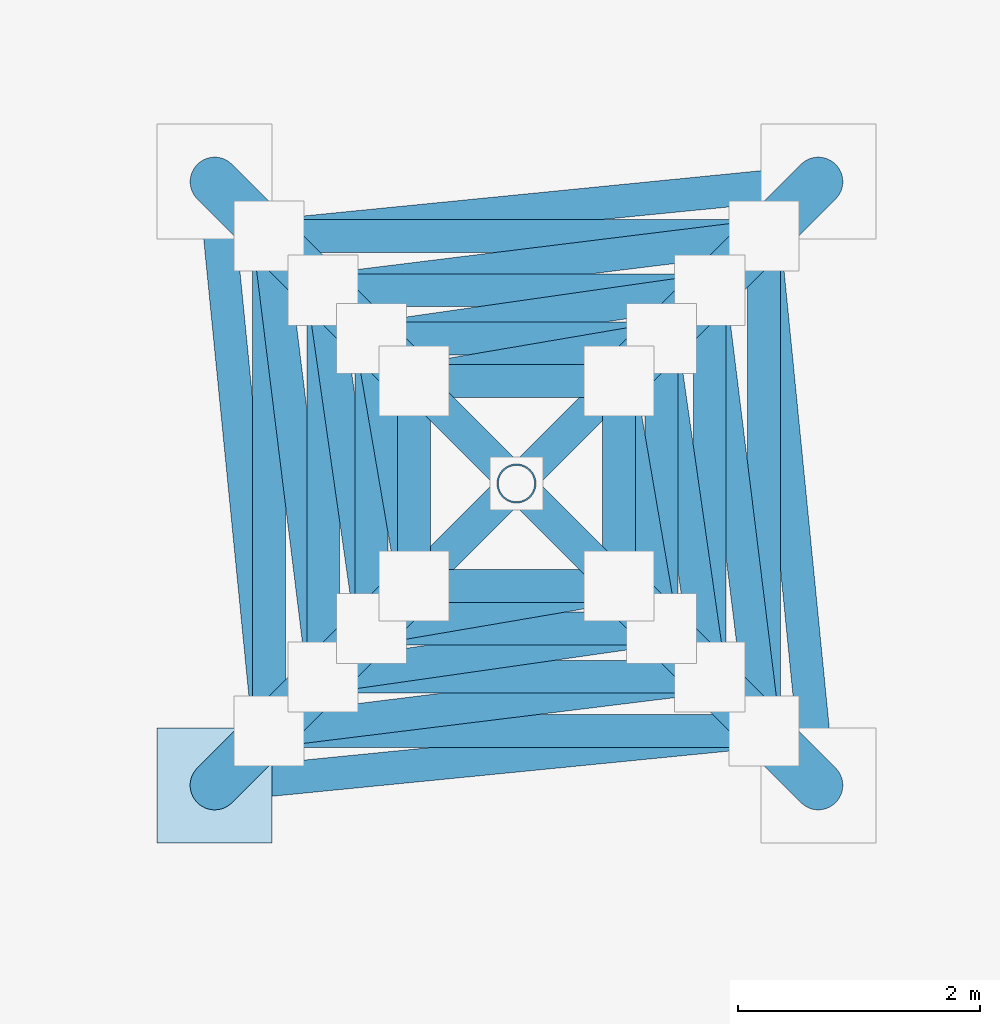
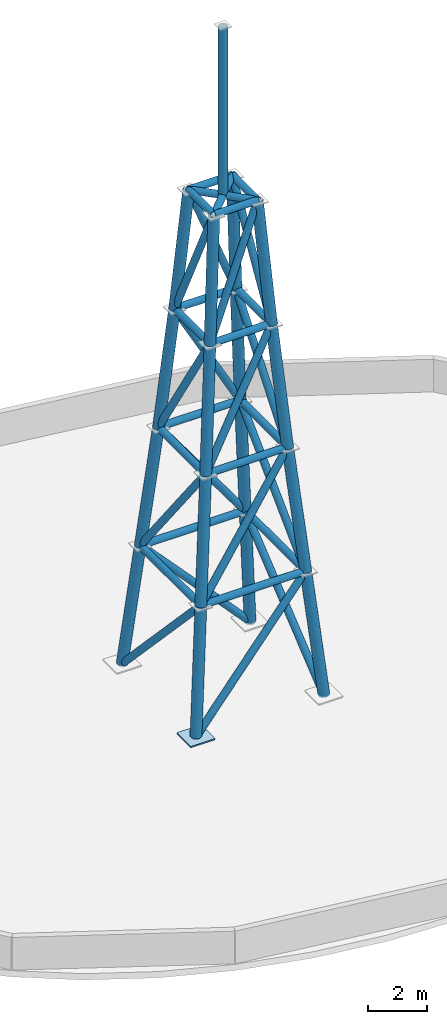
# One storey, part 1 of 2: 52 members, 1 plate.
"""IFC4 building model written with IfcOpenShell, lengths in metres."""

from ifc_helpers import new_model, si_unit, direction, frame, origin, origin_2d, place, context, subcontext, project, spatial, rectangle, hollow_circle, extrude, material, layer, layer_set, material_profile, profile_set, type_object, element, save


model = new_model("IFC4")

# Units and contexts
model_context = context("Model", 3, precision=1e-05, world=origin(), true_north=direction((0.0, 1.0)))
body_context = subcontext(model_context, "Body", "Model", "MODEL_VIEW")
ifc_project = project(units=[si_unit("LENGTHUNIT", "METRE"), si_unit("AREAUNIT", "SQUARE_METRE"), si_unit("VOLUMEUNIT", "CUBIC_METRE"), si_unit("PLANEANGLEUNIT", "RADIAN"), si_unit("MASSUNIT", "GRAM", prefix="KILO")], contexts=[model_context])

# Site, building, storey
site_placement = place(None, origin())
site = spatial("IfcSite", under=ifc_project, at=site_placement, CompositionType="ELEMENT")
building_placement = place(site_placement, origin())
building = spatial("IfcBuilding", under=site, at=building_placement, Name="Sarneth Arch Tower", CompositionType="ELEMENT")
storey_placement = place(building_placement, frame((0.0, 0.0, 327.0)))
storey = spatial("IfcBuildingStorey", under=building, at=storey_placement, Name="Roof", CompositionType="ELEMENT", Elevation=327.0)

# Members
ifc_material_1 = material(Name="Steel S355", Category="steel")
ifc_material_profile_1 = material_profile(ifc_material_1, hollow_circle(Radius=0.136474609375, WallThickness=0.012451171875, at=origin_2d()), Name="CHS273x12.5")
ifc_profile_set_1 = profile_set([ifc_material_profile_1], Name="Steel S355")
member_type_1 = type_object("IfcMemberType", Name="MEM-MAST-COLLAR", PredefinedType="STRUT", material=ifc_profile_set_1)
for number, where, z_axis, x_axis, name in (
    (1, (45.949951171875, 39.949951171875, 5.0), (1.0, 0.0, 0.0), (0.0, 1.0, 0.0), "Broadcast Mast Lattice Collar Strut T1.1"),
    (2, (50.050048828125, 39.949951171875, 5.0), (0.0, 1.0, 0.0), (-1.0, 0.0, 0.0), "Broadcast Mast Lattice Collar Strut T1.2"),
    (3, (50.050048828125, 44.050048828125, 5.0), (-1.0, 0.0, 0.0), (0.0, -1.0, 0.0), "Broadcast Mast Lattice Collar Strut T1.3"),
    (4, (45.949951171875, 44.050048828125, 5.0), (0.0, -1.0, 0.0), (1.0, 0.0, 0.0), "Broadcast Mast Lattice Collar Strut T1.4"),
):
    element("IfcMember", number, at=place(storey_placement, frame(where, z_axis=z_axis, x_axis=x_axis)), inside=storey, type_object=member_type_1, Name=name, PredefinedType="STRUT", context=body_context, shape_type="SweptSolid", body=[
        extrude(hollow_circle(Radius=0.136474609375, WallThickness=0.012451171875, at=origin_2d()), origin(), (0.0, 0.0, 1.0), 4.10009765625),
    ])
for number, where, z_axis, x_axis, name in (
    (5, (46.39990234375, 40.39990234375, 10.0), (1.0, 0.0, 0.0), (0.0, 1.0, 0.0), "Broadcast Mast Lattice Collar Strut T2.1"),
    (6, (49.60009765625, 40.39990234375, 10.0), (0.0, 1.0, 0.0), (-1.0, 0.0, 0.0), "Broadcast Mast Lattice Collar Strut T2.2"),
    (7, (49.60009765625, 43.60009765625, 10.0), (-1.0, 0.0, 0.0), (0.0, -1.0, 0.0), "Broadcast Mast Lattice Collar Strut T2.3"),
    (8, (46.39990234375, 43.60009765625, 10.0), (0.0, -1.0, 0.0), (1.0, 0.0, 0.0), "Broadcast Mast Lattice Collar Strut T2.4"),
):
    element("IfcMember", number, at=place(storey_placement, frame(where, z_axis=z_axis, x_axis=x_axis)), inside=storey, type_object=member_type_1, Name=name, PredefinedType="STRUT", context=body_context, shape_type="SweptSolid", body=[
        extrude(hollow_circle(Radius=0.136474609375, WallThickness=0.012451171875, at=origin_2d()), origin(), (0.0, 0.0, 1.0), 3.2001953125),
    ])
for number, where, z_axis, x_axis, name in (
    (9, (46.800048828125, 40.800048828125, 15.0), (1.0, 0.0, 0.0), (0.0, 1.0, 0.0), "Broadcast Mast Lattice Collar Strut T3.1"),
    (10, (49.199951171875, 40.800048828125, 15.0), (0.0, 1.0, 0.0), (-1.0, 0.0, 0.0), "Broadcast Mast Lattice Collar Strut T3.2"),
    (11, (49.199951171875, 43.199951171875, 15.0), (-1.0, 0.0, 0.0), (0.0, -1.0, 0.0), "Broadcast Mast Lattice Collar Strut T3.3"),
    (12, (46.800048828125, 43.199951171875, 15.0), (0.0, -1.0, 0.0), (1.0, 0.0, 0.0), "Broadcast Mast Lattice Collar Strut T3.4"),
):
    element("IfcMember", number, at=place(storey_placement, frame(where, z_axis=z_axis, x_axis=x_axis)), inside=storey, type_object=member_type_1, Name=name, PredefinedType="STRUT", context=body_context, shape_type="SweptSolid", body=[
        extrude(hollow_circle(Radius=0.136474609375, WallThickness=0.012451171875, at=origin_2d()), origin(), (0.0, 0.0, 1.0), 2.39990234375),
    ])
for number, where, z_axis, x_axis, name in (
    (13, (47.14990234375, 41.14990234375, 20.0), (1.0, 0.0, 0.0), (0.0, 1.0, 0.0), "Broadcast Mast Lattice Collar Strut T4.1"),
    (14, (48.85009765625, 41.14990234375, 20.0), (0.0, 1.0, 0.0), (-1.0, 0.0, 0.0), "Broadcast Mast Lattice Collar Strut T4.2"),
    (15, (48.85009765625, 42.85009765625, 20.0), (-1.0, 0.0, 0.0), (0.0, -1.0, 0.0), "Broadcast Mast Lattice Collar Strut T4.3"),
    (16, (47.14990234375, 42.85009765625, 20.0), (0.0, -1.0, 0.0), (1.0, 0.0, 0.0), "Broadcast Mast Lattice Collar Strut T4.4"),
):
    element("IfcMember", number, at=place(storey_placement, frame(where, z_axis=z_axis, x_axis=x_axis)), inside=storey, type_object=member_type_1, Name=name, PredefinedType="STRUT", context=body_context, shape_type="SweptSolid", body=[
        extrude(hollow_circle(Radius=0.136474609375, WallThickness=0.012451171875, at=origin_2d()), origin(), (0.0, 0.0, 1.0), 1.7001953125),
    ])
member_1_placement = place(storey_placement, frame((47.14990234375, 41.14990234375, 20.0), z_axis=(0.707106781187, 0.707106781187, 0.0), x_axis=(-0.707106781187, 0.707106781187, 0.0)))
element("IfcMember", 17, at=member_1_placement, inside=storey, type_object=member_type_1, Name="Broadcast Mast Lattice Cross-Tie 1", PredefinedType="STRUT", context=body_context, shape_type="SweptSolid", body=[
    extrude(hollow_circle(Radius=0.136474609375, WallThickness=0.012451171875, at=origin_2d()), origin(), (0.0, 0.0, 1.0), 2.404541015625),
])
for number, where, z_axis, x_axis, name in (
    (18, (47.14990234375, 42.85009765625, 20.0), (0.707106781187, -0.707106781187, 0.0), (0.707106781187, 0.707106781187, 0.0), "Broadcast Mast Lattice Split Cross-Tie 2A"),
    (19, (48.10009765625, 41.89990234375, 20.0), (0.707106781187, -0.707106781187, 0.0), (0.707106781187, 0.707106781187, 0.0), "Broadcast Mast Lattice Split Cross-Tie 2B"),
):
    element("IfcMember", number, at=place(storey_placement, frame(where, z_axis=z_axis, x_axis=x_axis)), inside=storey, type_object=member_type_1, Name=name, PredefinedType="STRUT", context=body_context, shape_type="SweptSolid", body=[
        extrude(hollow_circle(Radius=0.136474609375, WallThickness=0.012451171875, at=origin_2d()), origin(), (0.0, 0.0, 1.0), 1.060546875),
    ])
ifc_material_2 = material(Name="Steel S355", Category="steel")
ifc_material_profile_2 = material_profile(ifc_material_2, hollow_circle(Radius=0.136474609375, WallThickness=0.012451171875, at=origin_2d()), Name="CHS273x12.5")
ifc_profile_set_2 = profile_set([ifc_material_profile_2], Name="Steel S355")
member_type_2 = type_object("IfcMemberType", Name="MEM-MAST-DIAG", PredefinedType="BRACE", material=ifc_profile_set_2)
for number, where, z_axis, x_axis, name in (
    (20, (45.5, 39.5, 0.0), (0.671558990153, 0.066410002621, 0.737968992774), (-0.09840929993, 0.995146024304, 0.0), "Broadcast Mast Lattice Diagonal T1.1"),
    (21, (50.5, 39.5, 0.0), (-0.066410002621, 0.671558990153, 0.737968992774), (-0.995146024304, -0.09840929993, 0.0), "Broadcast Mast Lattice Diagonal T1.2"),
    (22, (50.5, 44.5, 0.0), (-0.671558990153, -0.066410002621, 0.737968992774), (0.09840929993, -0.995146024304, 0.0), "Broadcast Mast Lattice Diagonal T1.3"),
    (23, (45.5, 44.5, 0.0), (0.066410002621, -0.671558990153, 0.737968992774), (0.995146024304, 0.09840929993, 0.0), "Broadcast Mast Lattice Diagonal T1.4"),
):
    element("IfcMember", number, at=place(storey_placement, frame(where, z_axis=z_axis, x_axis=x_axis)), inside=storey, type_object=member_type_2, Name=name, PredefinedType="BRACE", context=body_context, shape_type="SweptSolid", body=[
        extrude(hollow_circle(Radius=0.136474609375, WallThickness=0.012451171875, at=origin_2d()), origin(), (0.0, 0.0, 1.0), 6.775390625),
    ])
for number, where, z_axis, x_axis, name in (
    (24, (45.949951171875, 39.949951171875, 5.0), (0.588075640318, 0.072491699893, 0.805550739998), (-0.122343327335, 0.992487838846, 0.0), "Broadcast Mast Lattice Diagonal T2.1"),
    (25, (50.050048828125, 39.949951171875, 5.0), (-0.072491699893, 0.588075640318, 0.805550739998), (-0.992487838846, -0.122343327335, 0.0), "Broadcast Mast Lattice Diagonal T2.2"),
    (26, (50.050048828125, 44.050048828125, 5.0), (-0.588075640318, -0.072491699893, 0.805550739998), (0.122343327335, -0.992487838846, 0.0), "Broadcast Mast Lattice Diagonal T2.3"),
    (27, (45.949951171875, 44.050048828125, 5.0), (0.072491699893, -0.588075640318, 0.805550739998), (0.992487838846, 0.122343327335, 0.0), "Broadcast Mast Lattice Diagonal T2.4"),
):
    element("IfcMember", number, at=place(storey_placement, frame(where, z_axis=z_axis, x_axis=x_axis)), inside=storey, type_object=member_type_2, Name=name, PredefinedType="BRACE", context=body_context, shape_type="SweptSolid", body=[
        extrude(hollow_circle(Radius=0.136474609375, WallThickness=0.012451171875, at=origin_2d()), origin(), (0.0, 0.0, 1.0), 6.20703125),
    ])
for number, where, z_axis, x_axis, name in (
    (28, (46.39990234375, 40.39990234375, 10.0), (0.487423051551, 0.069656149751, 0.870383128064), (-0.141469692266, 0.98994258731, 0.0), "Broadcast Mast Lattice Diagonal T3.1"),
    (29, (49.60009765625, 40.39990234375, 10.0), (-0.069656149751, 0.487423051551, 0.870383128064), (-0.98994258731, -0.141469692266, 0.0), "Broadcast Mast Lattice Diagonal T3.2"),
    (30, (49.60009765625, 43.60009765625, 10.0), (-0.487423051551, -0.069656149751, 0.870383128064), (0.141469692266, -0.98994258731, 0.0), "Broadcast Mast Lattice Diagonal T3.3"),
    (31, (46.39990234375, 43.60009765625, 10.0), (0.069656149751, -0.487423051551, 0.870383128064), (0.98994258731, 0.141469692266, 0.0), "Broadcast Mast Lattice Diagonal T3.4"),
):
    element("IfcMember", number, at=place(storey_placement, frame(where, z_axis=z_axis, x_axis=x_axis)), inside=storey, type_object=member_type_2, Name=name, PredefinedType="BRACE", context=body_context, shape_type="SweptSolid", body=[
        extrude(hollow_circle(Radius=0.136474609375, WallThickness=0.012451171875, at=origin_2d()), origin(), (0.0, 0.0, 1.0), 5.74462890625),
    ])
for number, where, z_axis, x_axis, name in (
    (32, (46.800048828125, 40.800048828125, 15.0), (0.378568497599, 0.064605056218, 0.923315806935), (-0.168224126655, 0.985748772868, 0.0), "Broadcast Mast Lattice Diagonal T4.1"),
    (33, (49.199951171875, 40.800048828125, 15.0), (-0.064605056218, 0.378568497599, 0.923315806935), (-0.985748772868, -0.168224126655, 0.0), "Broadcast Mast Lattice Diagonal T4.2"),
    (34, (49.199951171875, 43.199951171875, 15.0), (-0.378568497599, -0.064605056218, 0.923315806935), (0.168224126655, -0.985748772868, 0.0), "Broadcast Mast Lattice Diagonal T4.3"),
    (35, (46.800048828125, 43.199951171875, 15.0), (0.064605056218, -0.378568497599, 0.923315806935), (0.985748772868, 0.168224126655, 0.0), "Broadcast Mast Lattice Diagonal T4.4"),
):
    element("IfcMember", number, at=place(storey_placement, frame(where, z_axis=z_axis, x_axis=x_axis)), inside=storey, type_object=member_type_2, Name=name, PredefinedType="BRACE", context=body_context, shape_type="SweptSolid", body=[
        extrude(hollow_circle(Radius=0.136474609375, WallThickness=0.012451171875, at=origin_2d()), origin(), (0.0, 0.0, 1.0), 5.415283203125),
    ])
ifc_material_3 = material(Name="Steel S355", Category="steel")
ifc_material_profile_3 = material_profile(ifc_material_3, hollow_circle(Radius=0.202880859375, WallThickness=0.01611328125, at=origin_2d()), Name="CHS406x16")
ifc_profile_set_3 = profile_set([ifc_material_profile_3], Name="Steel S355")
member_type_3 = type_object("IfcMemberType", Name="MEM-MAST-LEG", PredefinedType="POST", material=ifc_profile_set_3)
for number, where, z_axis, x_axis, name in (
    (36, (45.5, 39.5, 0.0), (0.089270206385, 0.089270206385, 0.991998820818), (-0.707106781187, 0.707106781187, 0.0), "Broadcast Mast Lattice Leg T1.1"),
    (37, (50.5, 39.5, 0.0), (-0.089270206385, 0.089270206385, 0.991998820818), (-0.707106781187, -0.707106781187, 0.0), "Broadcast Mast Lattice Leg T1.2"),
    (38, (50.5, 44.5, 0.0), (-0.089270206385, -0.089270206385, 0.991998820818), (0.707106781187, -0.707106781187, 0.0), "Broadcast Mast Lattice Leg T1.3"),
    (39, (45.5, 44.5, 0.0), (0.089270206385, -0.089270206385, 0.991998820818), (0.707106781187, 0.707106781187, 0.0), "Broadcast Mast Lattice Leg T1.4"),
    (40, (45.949951171875, 39.949951171875, 5.0), (0.089270206385, 0.089270206385, 0.991998820818), (-0.707106781187, 0.707106781187, 0.0), "Broadcast Mast Lattice Leg T2.1"),
    (41, (50.050048828125, 39.949951171875, 5.0), (-0.089270206385, 0.089270206385, 0.991998820818), (-0.707106781187, -0.707106781187, 0.0), "Broadcast Mast Lattice Leg T2.2"),
    (42, (50.050048828125, 44.050048828125, 5.0), (-0.089270206385, -0.089270206385, 0.991998820818), (0.707106781187, -0.707106781187, 0.0), "Broadcast Mast Lattice Leg T2.3"),
    (43, (45.949951171875, 44.050048828125, 5.0), (0.089270206385, -0.089270206385, 0.991998820818), (0.707106781187, 0.707106781187, 0.0), "Broadcast Mast Lattice Leg T2.4"),
):
    element("IfcMember", number, at=place(storey_placement, frame(where, z_axis=z_axis, x_axis=x_axis)), inside=storey, type_object=member_type_3, Name=name, PredefinedType="POST", context=body_context, shape_type="SweptSolid", body=[
        extrude(hollow_circle(Radius=0.202880859375, WallThickness=0.01611328125, at=origin_2d()), origin(), (0.0, 0.0, 1.0), 5.040283203125),
    ])
for number, where, z_axis, x_axis, name in (
    (44, (46.39990234375, 40.39990234375, 10.0), (0.079521606395, 0.079521606395, 0.993656192168), (-0.707106781187, 0.707106781187, 0.0), "Broadcast Mast Lattice Leg T3.1"),
    (45, (49.60009765625, 40.39990234375, 10.0), (-0.079521606395, 0.079521606395, 0.993656192168), (-0.707106781187, -0.707106781187, 0.0), "Broadcast Mast Lattice Leg T3.2"),
    (46, (49.60009765625, 43.60009765625, 10.0), (-0.079521606395, -0.079521606395, 0.993656192168), (0.707106781187, -0.707106781187, 0.0), "Broadcast Mast Lattice Leg T3.3"),
    (47, (46.39990234375, 43.60009765625, 10.0), (0.079521606395, -0.079521606395, 0.993656192168), (0.707106781187, 0.707106781187, 0.0), "Broadcast Mast Lattice Leg T3.4"),
):
    element("IfcMember", number, at=place(storey_placement, frame(where, z_axis=z_axis, x_axis=x_axis)), inside=storey, type_object=member_type_3, Name=name, PredefinedType="POST", context=body_context, shape_type="SweptSolid", body=[
        extrude(hollow_circle(Radius=0.202880859375, WallThickness=0.01611328125, at=origin_2d()), origin(), (0.0, 0.0, 1.0), 5.031982421875),
    ])
for number, where, z_axis, x_axis, name in (
    (48, (46.800048828125, 40.800048828125, 15.0), (0.069630629034, 0.069630629034, 0.995139764556), (-0.707106781187, 0.707106781187, 0.0), "Broadcast Mast Lattice Leg T4.1"),
    (49, (49.199951171875, 40.800048828125, 15.0), (-0.069630629034, 0.069630629034, 0.995139764556), (-0.707106781187, -0.707106781187, 0.0), "Broadcast Mast Lattice Leg T4.2"),
    (50, (49.199951171875, 43.199951171875, 15.0), (-0.069630629034, -0.069630629034, 0.995139764556), (0.707106781187, -0.707106781187, 0.0), "Broadcast Mast Lattice Leg T4.3"),
    (51, (46.800048828125, 43.199951171875, 15.0), (0.069630629034, -0.069630629034, 0.995139764556), (0.707106781187, 0.707106781187, 0.0), "Broadcast Mast Lattice Leg T4.4"),
):
    element("IfcMember", number, at=place(storey_placement, frame(where, z_axis=z_axis, x_axis=x_axis)), inside=storey, type_object=member_type_3, Name=name, PredefinedType="POST", context=body_context, shape_type="SweptSolid", body=[
        extrude(hollow_circle(Radius=0.202880859375, WallThickness=0.01611328125, at=origin_2d()), origin(), (0.0, 0.0, 1.0), 5.0244140625),
    ])
ifc_material_4 = material(Name="Steel S355", Category="steel")
ifc_material_profile_4 = material_profile(ifc_material_4, hollow_circle(Radius=0.162109375, WallThickness=0.012451171875, at=origin_2d()), Name="CHS324x12.5")
ifc_profile_set_4 = profile_set([ifc_material_profile_4], Name="Steel S355")
member_type_4 = type_object("IfcMemberType", Name="MEM-MAST-SPIRE", PredefinedType="POST", material=ifc_profile_set_4)
member_2_placement = place(storey_placement, frame((48.0, 42.0, 20.0), z_axis=(0.0, 0.0, 1.0), x_axis=(1.0, 0.0, 0.0)))
element("IfcMember", 52, at=member_2_placement, inside=storey, type_object=member_type_4, Name="Broadcast Mast Upper Spire MS-1", PredefinedType="POST", context=body_context, shape_type="SweptSolid", body=[
    extrude(hollow_circle(Radius=0.162109375, WallThickness=0.012451171875, at=origin_2d()), origin(), (0.0, 0.0, 1.0), 7.0),
])

# Plate
ifc_material_5 = material(Name="Steel S355", Category="steel")
ifc_layer = layer(ifc_material_5, 0.050048828125)
ifc_layer_set = layer_set([ifc_layer], Name="Steel S355")
plate_type = type_object("IfcPlateType", Name="PLT-MAST-BASE-50", PredefinedType="SHEET", material=ifc_layer_set)
plate_placement = place(storey_placement, frame((45.5, 39.5, 0.0), z_axis=(0.0, 0.0, 1.0), x_axis=(1.0, 0.0, 0.0)))
element("IfcPlate", 53, at=plate_placement, inside=storey, type_object=plate_type, Name="Broadcast Mast Base Plate 1", PredefinedType="SHEET", context=body_context, shape_type="SweptSolid", body=[
    extrude(rectangle(XDim=0.949951171875, YDim=0.949951171875, at=origin_2d()), origin(), (0.0, 0.0, 1.0), 0.050048828125),
])

save(model, "model.ifc")
